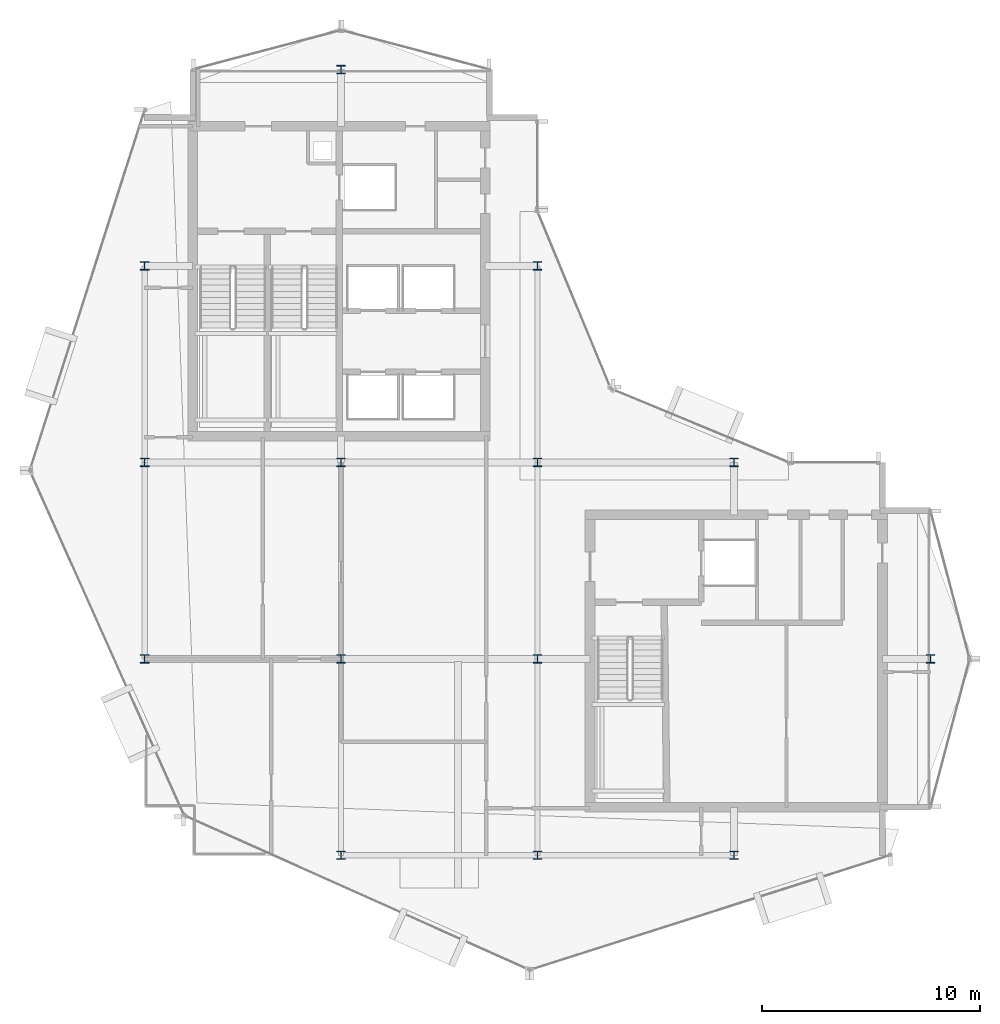
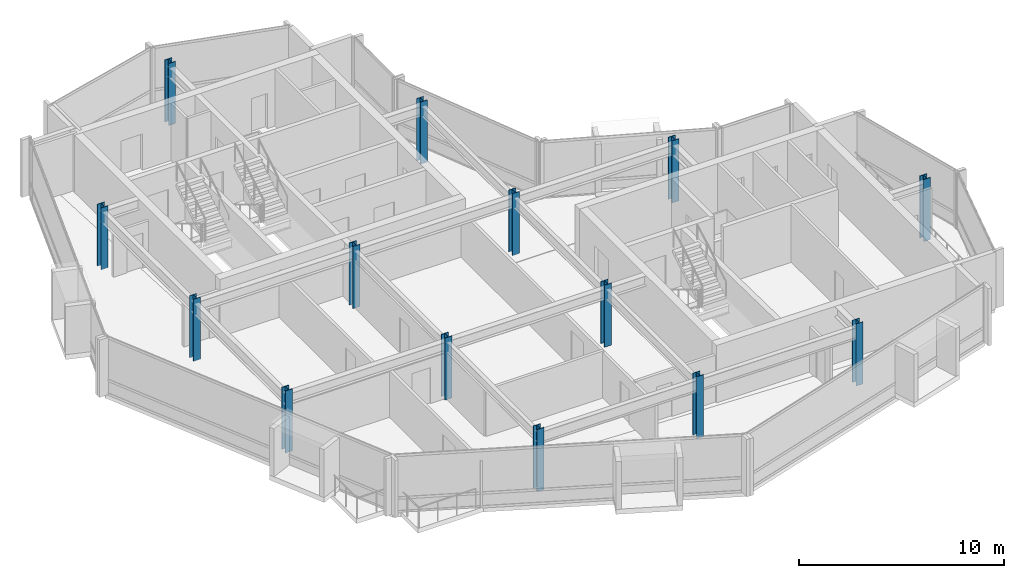
# One storey, part 1 of 19: 14 columns.
"""IFC4 building model written with IfcOpenShell, lengths in metres."""

from ifc_helpers import new_model, si_unit, direction, frame, origin, origin_2d, place, context, subcontext, project, spatial, i_section, extrude, material, material_profile, profile_set, type_object, element, save


model = new_model("IFC4")

# Units and contexts
model_context = context("Model", 3, precision=1e-05, world=origin(), true_north=direction((0.0, 1.0)))
body_context = subcontext(model_context, "Body", "Model", "MODEL_VIEW")
ifc_project = project(units=[si_unit("LENGTHUNIT", "METRE"), si_unit("AREAUNIT", "SQUARE_METRE"), si_unit("VOLUMEUNIT", "CUBIC_METRE"), si_unit("PLANEANGLEUNIT", "RADIAN"), si_unit("MASSUNIT", "GRAM", prefix="KILO")], contexts=[model_context])

# Site, building, storey
site_placement = place(None, origin())
site = spatial("IfcSite", under=ifc_project, at=site_placement, CompositionType="ELEMENT")
building_placement = place(site_placement, origin())
building = spatial("IfcBuilding", under=site, at=building_placement, Name="Solvaryn Broadcast Tower", CompositionType="ELEMENT")
storey_placement = place(building_placement, frame((0.0, 0.0, 251.89990234375)))
storey = spatial("IfcBuildingStorey", under=building, at=storey_placement, Name="L63", CompositionType="ELEMENT", Elevation=251.89990234375)

# Columns
ifc_material_1 = material(Name="Steel ASTM A913 Grade 65", Category="steel")
ifc_material_profile_1 = material_profile(ifc_material_1, i_section(OverallWidth=0.39697265625, OverallDepth=0.386962890625, WebThickness=0.02099609375, FlangeThickness=0.033203125, FilletRadius=0.014892578125, at=origin_2d()))
ifc_profile_set_1 = profile_set([ifc_material_profile_1], Name="Steel ASTM A913 Grade 65")
column_type_1 = type_object("IfcColumnType", Name="COL-C09E-W14X176", PredefinedType="COLUMN", material=ifc_profile_set_1)
for number, where, z_axis, x_axis, name in (
    (1, (9.0, 18.0, 0.0), (0.0, 0.0, 1.0), (1.0, 0.0, 0.0), "L63 Column (9.0, 18.0)"),
    (2, (9.0, 27.0, 0.0), (0.0, 0.0, 1.0), (1.0, 0.0, 0.0), "L63 Column (9.0, 27.0)"),
    (3, (9.0, 36.0, 0.0), (0.0, 0.0, 1.0), (1.0, 0.0, 0.0), "L63 Column (9.0, 36.0)"),
    (4, (18.0, 9.0, 0.0), (0.0, 0.0, 1.0), (1.0, 0.0, 0.0), "L63 Column (18.0, 9.0)"),
    (5, (18.0, 45.0, 0.0), (0.0, 0.0, 1.0), (1.0, 0.0, 0.0), "L63 Column (18.0, 45.0)"),
    (6, (27.0, 9.0, 0.0), (0.0, 0.0, 1.0), (1.0, 0.0, 0.0), "L63 Column (27.0, 9.0)"),
    (7, (27.0, 36.0, 0.0), (0.0, 0.0, 1.0), (1.0, 0.0, 0.0), "L63 Column (27.0, 36.0)"),
    (8, (36.0, 9.0, 0.0), (0.0, 0.0, 1.0), (1.0, 0.0, 0.0), "L63 Column (36.0, 9.0)"),
    (9, (36.0, 27.0, 0.0), (0.0, 0.0, 1.0), (1.0, 0.0, 0.0), "L63 Column (36.0, 27.0)"),
    (10, (45.0, 18.0, 0.0), (0.0, 0.0, 1.0), (1.0, 0.0, 0.0), "L63 Column (45.0, 18.0)"),
):
    element("IfcColumn", number, at=place(storey_placement, frame(where, z_axis=z_axis, x_axis=x_axis)), inside=storey, type_object=column_type_1, Name=name, PredefinedType="COLUMN", context=body_context, shape_type="SweptSolid", body=[
        extrude(i_section(OverallWidth=0.39697265625, OverallDepth=0.386962890625, WebThickness=0.02099609375, FlangeThickness=0.033203125, FilletRadius=0.014892578125, at=origin_2d()), origin(), (0.0, 0.0, 1.0), 3.7001953125),
    ])
ifc_material_2 = material(Name="Steel ASTM A913 Grade 65", Category="steel")
ifc_material_profile_2 = material_profile(ifc_material_2, i_section(OverallWidth=0.39697265625, OverallDepth=0.386962890625, WebThickness=0.02099609375, FlangeThickness=0.033203125, FilletRadius=0.014892578125, at=origin_2d()))
ifc_profile_set_2 = profile_set([ifc_material_profile_2], Name="Steel ASTM A913 Grade 65")
column_type_2 = type_object("IfcColumnType", Name="COL-C09I-W14X176", PredefinedType="COLUMN", material=ifc_profile_set_2)
for number, where, z_axis, x_axis, name in (
    (11, (18.0, 18.0, 0.0), (0.0, 0.0, 1.0), (1.0, 0.0, 0.0), "L63 Column (18.0, 18.0)"),
    (12, (18.0, 27.0, 0.0), (0.0, 0.0, 1.0), (1.0, 0.0, 0.0), "L63 Column (18.0, 27.0)"),
    (13, (27.0, 18.0, 0.0), (0.0, 0.0, 1.0), (1.0, 0.0, 0.0), "L63 Column (27.0, 18.0)"),
    (14, (27.0, 27.0, 0.0), (0.0, 0.0, 1.0), (1.0, 0.0, 0.0), "L63 Column (27.0, 27.0)"),
):
    element("IfcColumn", number, at=place(storey_placement, frame(where, z_axis=z_axis, x_axis=x_axis)), inside=storey, type_object=column_type_2, Name=name, PredefinedType="COLUMN", context=body_context, shape_type="SweptSolid", body=[
        extrude(i_section(OverallWidth=0.39697265625, OverallDepth=0.386962890625, WebThickness=0.02099609375, FlangeThickness=0.033203125, FilletRadius=0.014892578125, at=origin_2d()), origin(), (0.0, 0.0, 1.0), 3.7001953125),
    ])

save(model, "model.ifc")
